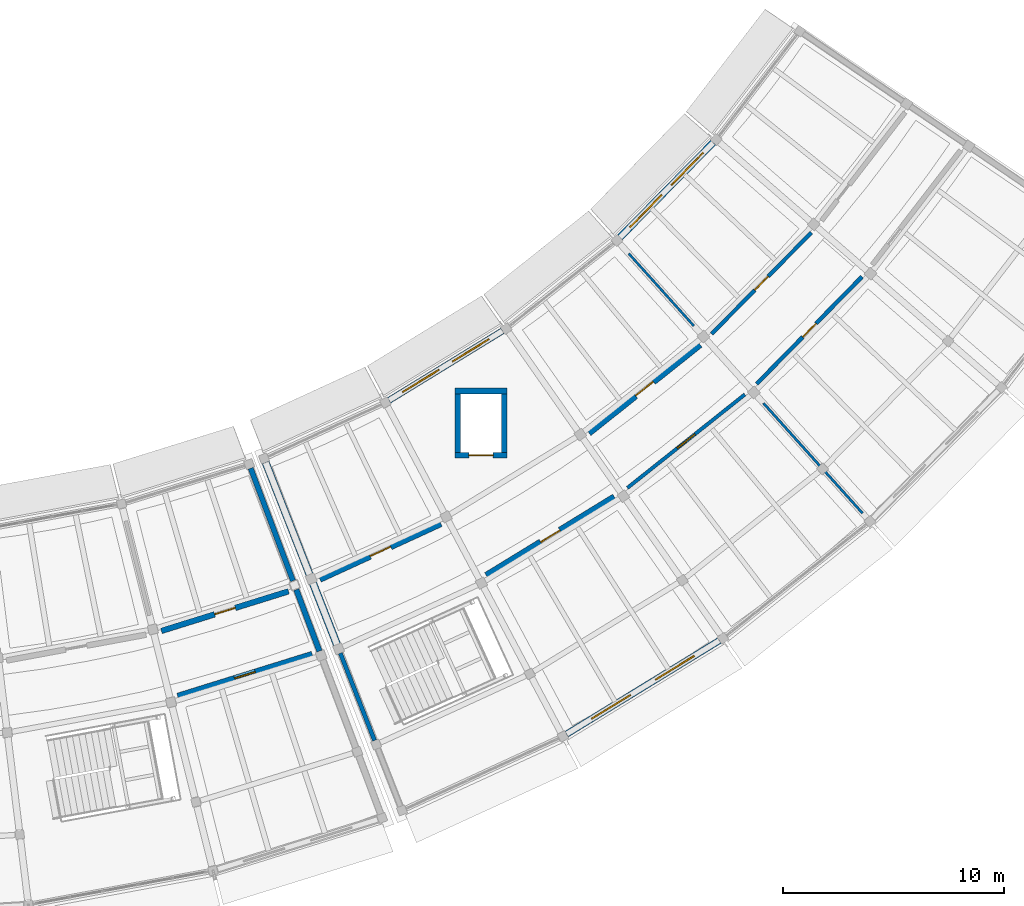
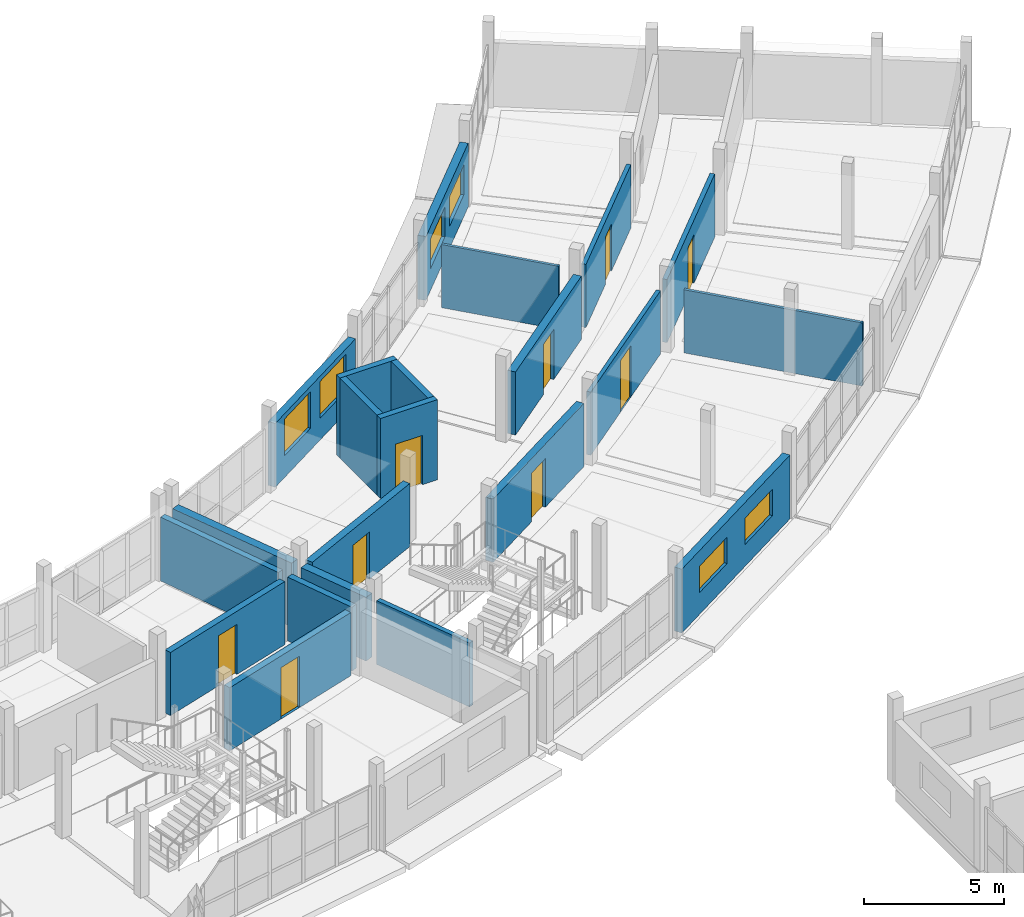
# One storey, part 59 of 77: 22 walls, 9 doors, 6 windows, 15 openings.
"""IFC4 building model written with IfcOpenShell, lengths in metres."""

from ifc_helpers import new_model, si_unit, direction, frame, frame_2d, origin, place, context, subcontext, project, spatial, rectangle, extrude, material, layer, layer_set, type_object, element, fill, save


model = new_model("IFC4")

# Units and contexts
model_context = context("Model", 3, precision=1e-05, world=origin(), true_north=direction((0.0, 1.0)))
body_context = subcontext(model_context, "Body", "Model", "MODEL_VIEW")
ifc_project = project(units=[si_unit("LENGTHUNIT", "METRE"), si_unit("AREAUNIT", "SQUARE_METRE"), si_unit("VOLUMEUNIT", "CUBIC_METRE"), si_unit("PLANEANGLEUNIT", "RADIAN"), si_unit("MASSUNIT", "GRAM", prefix="KILO")], contexts=[model_context])

# Site, building, storey
site_placement = place(None, origin())
site = spatial("IfcSite", under=ifc_project, at=site_placement, CompositionType="ELEMENT")
building_placement = place(site_placement, origin())
building = spatial("IfcBuilding", under=site, at=building_placement, Name="Caldaven Crescent School", CompositionType="ELEMENT")
storey_placement = place(building_placement, frame((0.0, 0.0, 4.419921875)))
storey = spatial("IfcBuildingStorey", under=building, at=storey_placement, Name="L01", CompositionType="ELEMENT", Elevation=4.419921875)

# Wall
ifc_material_1 = material(Name="Concrete C35/45", Category="concrete")
ifc_layer_1 = layer(ifc_material_1, 0.300048828125)
ifc_layer_set_1 = layer_set([ifc_layer_1], Name="Concrete C35/45")
wall_type_1 = type_object("IfcWallType", Name="WAL-CW1", PredefinedType="SHEAR", material=ifc_layer_set_1)
wall_1_placement = place(storey_placement, frame((115.771484375, 50.213623046875, 0.0), z_axis=(0.0, 0.0, 1.0), x_axis=(1.0, 0.0, 0.0)))
element("IfcWall", 1, at=wall_1_placement, inside=storey, type_object=wall_type_1, Name="CW-LF6-L01-N", PredefinedType="SHEAR", context=body_context, shape_type="SweptSolid", body=[
    extrude(rectangle(XDim=2.349853515625, YDim=0.25, at=frame_2d((1.1748046875, 0.0))), origin(), (0.0, 0.0, 1.0), 3.489990234375),
])

# Wall, opening, door
wall_2_placement = place(storey_placement, frame((115.771484375, 47.313720703125, 0.0), z_axis=(0.0, 0.0, 1.0), x_axis=(1.0, 0.0, 0.0)))
wall_2 = element("IfcWall", 2, at=wall_2_placement, inside=storey, type_object=wall_type_1, Name="CW-LF6-L01-S", PredefinedType="SHEAR", context=body_context, shape_type="SweptSolid", body=[
    extrude(rectangle(XDim=2.349853515625, YDim=0.25, at=frame_2d((1.1748046875, 0.0))), origin(), (0.0, 0.0, 1.0), 3.489990234375),
])
opening_1_placement = place(wall_2_placement, frame((0.625, 0.0, 0.0)))
opening_1 = element("IfcOpeningElement", 3, at=opening_1_placement, cuts=wall_2, Name="Opening LD-LF6-L01", PredefinedType="OPENING", context=body_context, shape_type="SweptSolid", body=[
    extrude(rectangle(XDim=1.10009765625, YDim=2.14990234375, at=frame_2d((0.550048828125, 1.074951171875))), frame((0.0, 0.135009765625, 0.0), z_axis=(0.0, -1.0, 0.0), x_axis=(1.0, 0.0, 0.0)), (0.0, 0.0, 1.0), 0.27001953125),
])
ifc_material_2 = material(Name="Brushed stainless-steel automatic telescopic landing door", Category="steel")
door_type_1 = type_object("IfcDoorType", Name="DOR-LD01", OperationType="DOUBLE_DOOR_SLIDING", PredefinedType="DOOR", material=ifc_material_2)
door_1_placement = place(opening_1_placement, origin())
door_1 = element("IfcDoor", 4, at=door_1_placement, inside=storey, type_object=door_type_1, Name="DOR-LD-LF6-L01", OperationType="DOUBLE_DOOR_SLIDING", OverallHeight=2.14990234375, OverallWidth=1.10009765625, PredefinedType="DOOR", context=body_context, shape_type="SweptSolid", body=[
    extrude(rectangle(XDim=1.10009765625, YDim=2.14990234375, at=frame_2d((0.550048828125, 1.074951171875))), frame((0.0, 0.02490234375, 0.0), z_axis=(0.0, -1.0, 0.0), x_axis=(1.0, 0.0, 0.0)), (0.0, 0.0, 1.0), 0.050048828125),
])
fill(opening_1, door_1)

# Walls
ifc_layer_2 = layer(ifc_material_1, 0.25)
ifc_layer_set_2 = layer_set([ifc_layer_2], Name="Concrete C35/45")
wall_type_2 = type_object("IfcWallType", Name="WAL-CW2", PredefinedType="SHEAR", material=ifc_layer_set_2)
for number, where, z_axis, x_axis, name in (
    (5, (115.896484375, 47.438720703125, 0.0), (0.0, 0.0, 1.0), (0.0, 1.0, 0.0), "CW-LF6-L01-W"),
    (6, (117.996337890625, 47.438720703125, 0.0), (0.0, 0.0, 1.0), (0.0, 1.0, 0.0), "CW-LF6-L01-E"),
):
    element("IfcWall", number, at=place(storey_placement, frame(where, z_axis=z_axis, x_axis=x_axis)), inside=storey, type_object=wall_type_2, Name=name, PredefinedType="SHEAR", context=body_context, shape_type="SweptSolid", body=[
        extrude(rectangle(XDim=2.64990234375, YDim=0.25, at=frame_2d((1.324951171875, 0.0))), origin(), (0.0, 0.0, 1.0), 3.489990234375),
    ])
ifc_material_3 = material(Name="Precast concrete C35/45", Category="concrete")
ifc_layer_3 = layer(ifc_material_3, 0.19189453125)
ifc_layer_set_3 = layer_set([ifc_layer_3], Name="Precast concrete C35/45")
wall_type_3 = type_object("IfcWallType", Name="WAL-EW01", PredefinedType="STANDARD", material=ifc_layer_set_3)
wall_3_placement = place(storey_placement, frame((110.5849609375, 38.353271484375, 0.0), z_axis=(0.0, 0.0, 1.0), x_axis=(0.364807578084, -0.93108293453, 0.0)))
element("IfcWall", 7, at=wall_3_placement, inside=storey, type_object=wall_type_3, Name="EW-L01-154", PredefinedType="STANDARD", context=body_context, shape_type="SweptSolid", body=[
    extrude(rectangle(XDim=4.239013671875, YDim=0.19189453125, at=frame_2d((2.11962890625, 0.0))), origin(), (0.0, 0.0, 1.0), 2.780029296875),
])
ifc_layer_4 = layer(ifc_material_3, 0.239990234375)
ifc_layer_set_4 = layer_set([ifc_layer_4], Name="Precast concrete C35/45")
wall_type_4 = type_object("IfcWallType", Name="WAL-EW05", PredefinedType="STANDARD", material=ifc_layer_set_4)
wall_4_placement = place(storey_placement, frame((106.528564453125, 46.72021484375, 0.0), z_axis=(0.0, 0.0, 1.0), x_axis=(0.351915297574, -0.936031849529, 0.0)))
element("IfcWall", 8, at=wall_4_placement, inside=storey, type_object=wall_type_4, Name="EW-L01-144", PredefinedType="STANDARD", context=body_context, shape_type="SweptSolid", body=[
    extrude(rectangle(XDim=5.43896484375, YDim=0.239990234375, at=frame_2d((2.719482421875, 0.0))), origin(), (0.0, 0.0, 1.0), 2.780029296875),
])
ifc_layer_5 = layer(ifc_material_3, 0.251953125)
ifc_layer_set_5 = layer_set([ifc_layer_5], Name="Precast concrete C35/45")
wall_type_5 = type_object("IfcWallType", Name="WAL-EW06", PredefinedType="STANDARD", material=ifc_layer_set_5)
wall_5_placement = place(storey_placement, frame((108.592529296875, 41.230224609375, 0.0), z_axis=(0.0, 0.0, 1.0), x_axis=(0.35193299539, -0.936025195577, 0.0)))
element("IfcWall", 9, at=wall_5_placement, inside=storey, type_object=wall_type_5, Name="EW-L01-145", PredefinedType="STANDARD", context=body_context, shape_type="SweptSolid", body=[
    extrude(rectangle(XDim=2.973876953125, YDim=0.251953125, at=frame_2d((1.48681640625, 0.0))), origin(), (0.0, 0.0, 1.0), 2.780029296875),
])

# Wall, openings, windows
ifc_layer_6 = layer(ifc_material_3, 0.2880859375)
ifc_layer_set_6 = layer_set([ifc_layer_6], Name="Precast concrete C35/45")
wall_type_6 = type_object("IfcWallType", Name="WAL-EW09", PredefinedType="STANDARD", material=ifc_layer_set_6)
wall_6_placement = place(storey_placement, frame((112.792724609375, 49.79296875, 0.0), z_axis=(0.0, 0.0, 1.0), x_axis=(0.85263629261, 0.522504882775, 0.0)))
wall_6 = element("IfcWall", 10, at=wall_6_placement, inside=storey, type_object=wall_type_6, Name="EW-L01-148", PredefinedType="STANDARD", context=body_context, shape_type="SweptSolid", body=[
    extrude(rectangle(XDim=6.0078125, YDim=0.2880859375, at=frame_2d((3.00390625, 0.0))), origin(), (0.0, 0.0, 1.0), 2.780029296875),
])
opening_2_placement = place(wall_6_placement, frame((0.709228515625, 0.0, 0.949951171875)))
opening_2 = element("IfcOpeningElement", 11, at=opening_2_placement, cuts=wall_6, Name="Opening W32", PredefinedType="OPENING", context=body_context, shape_type="SweptSolid", body=[
    extrude(rectangle(XDim=1.93994140625, YDim=1.60009765625, at=frame_2d((0.969970703125, 0.800048828125))), frame((0.0, 0.154052734375, 0.0), z_axis=(0.0, -1.0, 0.0), x_axis=(1.0, 0.0, 0.0)), (0.0, 0.0, 1.0), 0.30810546875),
])
opening_3_placement = place(wall_6_placement, frame((3.358642578125, 0.0, 0.949951171875)))
opening_3 = element("IfcOpeningElement", 12, at=opening_3_placement, cuts=wall_6, Name="Opening W32", PredefinedType="OPENING", context=body_context, shape_type="SweptSolid", body=[
    extrude(rectangle(XDim=1.93994140625, YDim=1.60009765625, at=frame_2d((0.969970703125, 0.800048828125))), frame((0.0, 0.154052734375, 0.0), z_axis=(0.0, -1.0, 0.0), x_axis=(1.0, 0.0, 0.0)), (0.0, 0.0, 1.0), 0.30810546875),
])
ifc_material_4 = material(Name="Thermally broken anodised aluminium AA 6063-T6 and low-E double glazing", Category="aluminium")
window_type_1 = type_object("IfcWindowType", Name="WIN-W32", PartitioningType="SINGLE_PANEL", PredefinedType="WINDOW", material=ifc_material_4)
window_1_placement = place(opening_2_placement, origin())
window_1 = element("IfcWindow", 13, at=window_1_placement, inside=storey, type_object=window_type_1, Name="WIN-L01-079-1", OverallHeight=1.60009765625, OverallWidth=1.93994140625, PartitioningType="SINGLE_PANEL", PredefinedType="WINDOW", context=body_context, shape_type="SweptSolid", body=[
    extrude(rectangle(XDim=1.93994140625, YDim=1.60009765625, at=frame_2d((0.969970703125, 0.800048828125))), frame((0.0, 0.030029296875, 0.0), z_axis=(0.0, -1.0, 0.0), x_axis=(1.0, 0.0, 0.0)), (0.0, 0.0, 1.0), 0.06005859375),
])
fill(opening_2, window_1)
window_2_placement = place(opening_3_placement, origin())
window_2 = element("IfcWindow", 14, at=window_2_placement, inside=storey, type_object=window_type_1, Name="WIN-L01-079-2", OverallHeight=1.60009765625, OverallWidth=1.93994140625, PartitioningType="SINGLE_PANEL", PredefinedType="WINDOW", context=body_context, shape_type="SweptSolid", body=[
    extrude(rectangle(XDim=1.93994140625, YDim=1.60009765625, at=frame_2d((0.969970703125, 0.800048828125))), frame((0.0, 0.030029296875, 0.0), z_axis=(0.0, -1.0, 0.0), x_axis=(1.0, 0.0, 0.0)), (0.0, 0.0, 1.0), 0.06005859375),
])
fill(opening_3, window_2)

ifc_layer_7 = layer(ifc_material_3, 0.300048828125)
ifc_layer_set_7 = layer_set([ifc_layer_7], Name="Precast concrete C35/45")
wall_type_7 = type_object("IfcWallType", Name="WAL-EW10", PredefinedType="STANDARD", material=ifc_layer_set_7)
wall_7_placement = place(storey_placement, frame((120.820556640625, 34.6943359375, 0.0), z_axis=(0.0, 0.0, 1.0), x_axis=(0.852631156109, 0.522513264551, 0.0)))
wall_7 = element("IfcWall", 15, at=wall_7_placement, inside=storey, type_object=wall_type_7, Name="EW-L01-149", PredefinedType="STANDARD", context=body_context, shape_type="SweptSolid", body=[
    extrude(rectangle(XDim=8.095947265625, YDim=0.300048828125, at=frame_2d((4.0478515625, 0.0))), origin(), (0.0, 0.0, 1.0), 2.780029296875),
])
opening_4_placement = place(wall_7_placement, frame((1.3251953125, 0.0, 0.949951171875)))
opening_4 = element("IfcOpeningElement", 16, at=opening_4_placement, cuts=wall_7, Name="Opening W33", PredefinedType="OPENING", context=body_context, shape_type="SweptSolid", body=[
    extrude(rectangle(XDim=2.06005859375, YDim=1.14990234375, at=frame_2d((1.030029296875, 0.574951171875))), frame((0.0, 0.159912109375, 0.0), z_axis=(0.0, -1.0, 0.0), x_axis=(1.0, 0.0, 0.0)), (0.0, 0.0, 1.0), 0.320068359375),
])
opening_5_placement = place(wall_7_placement, frame((4.710693359375, 0.0, 0.949951171875)))
opening_5 = element("IfcOpeningElement", 17, at=opening_5_placement, cuts=wall_7, Name="Opening W33", PredefinedType="OPENING", context=body_context, shape_type="SweptSolid", body=[
    extrude(rectangle(XDim=2.06005859375, YDim=1.14990234375, at=frame_2d((1.030029296875, 0.574951171875))), frame((0.0, 0.159912109375, 0.0), z_axis=(0.0, -1.0, 0.0), x_axis=(1.0, 0.0, 0.0)), (0.0, 0.0, 1.0), 0.320068359375),
])
window_type_2 = type_object("IfcWindowType", Name="WIN-W33", PartitioningType="SINGLE_PANEL", PredefinedType="WINDOW", material=ifc_material_4)
window_3_placement = place(opening_4_placement, origin())
window_3 = element("IfcWindow", 18, at=window_3_placement, inside=storey, type_object=window_type_2, Name="WIN-L01-080-1", OverallHeight=1.14990234375, OverallWidth=2.06005859375, PartitioningType="SINGLE_PANEL", PredefinedType="WINDOW", context=body_context, shape_type="SweptSolid", body=[
    extrude(rectangle(XDim=2.06005859375, YDim=1.14990234375, at=frame_2d((1.030029296875, 0.574951171875))), frame((0.0, 0.030029296875, 0.0), z_axis=(0.0, -1.0, 0.0), x_axis=(1.0, 0.0, 0.0)), (0.0, 0.0, 1.0), 0.06005859375),
])
fill(opening_4, window_3)
window_4_placement = place(opening_5_placement, origin())
window_4 = element("IfcWindow", 19, at=window_4_placement, inside=storey, type_object=window_type_2, Name="WIN-L01-080-2", OverallHeight=1.14990234375, OverallWidth=2.06005859375, PartitioningType="SINGLE_PANEL", PredefinedType="WINDOW", context=body_context, shape_type="SweptSolid", body=[
    extrude(rectangle(XDim=2.06005859375, YDim=1.14990234375, at=frame_2d((1.030029296875, 0.574951171875))), frame((0.0, 0.030029296875, 0.0), z_axis=(0.0, -1.0, 0.0), x_axis=(1.0, 0.0, 0.0)), (0.0, 0.0, 1.0), 0.06005859375),
])
fill(opening_5, window_4)

ifc_layer_8 = layer(ifc_material_3, 0.31201171875)
ifc_layer_set_8 = layer_set([ifc_layer_8], Name="Precast concrete C35/45")
wall_type_8 = type_object("IfcWallType", Name="WAL-EW11", PredefinedType="STANDARD", material=ifc_layer_set_8)
wall_8_placement = place(storey_placement, frame((123.234619140625, 57.163330078125, 0.0), z_axis=(0.0, 0.0, 1.0), x_axis=(0.700923686005, 0.713236276698, 0.0)))
wall_8 = element("IfcWall", 20, at=wall_8_placement, inside=storey, type_object=wall_type_8, Name="EW-L01-150", PredefinedType="STANDARD", context=body_context, shape_type="SweptSolid", body=[
    extrude(rectangle(XDim=6.008056640625, YDim=0.31201171875, at=frame_2d((3.00390625, 0.0))), origin(), (0.0, 0.0, 1.0), 2.780029296875),
])
opening_6_placement = place(wall_8_placement, frame((0.62939453125, 0.0, 0.949951171875)))
opening_6 = element("IfcOpeningElement", 21, at=opening_6_placement, cuts=wall_8, Name="Opening W34", PredefinedType="OPENING", context=body_context, shape_type="SweptSolid", body=[
    extrude(rectangle(XDim=2.06005859375, YDim=1.300048828125, at=frame_2d((1.030029296875, 0.64990234375))), frame((0.0, 0.166015625, 0.0), z_axis=(0.0, -1.0, 0.0), x_axis=(1.0, 0.0, 0.0)), (0.0, 0.0, 1.0), 0.33203125),
])
opening_7_placement = place(wall_8_placement, frame((3.318603515625, 0.0, 0.949951171875)))
opening_7 = element("IfcOpeningElement", 22, at=opening_7_placement, cuts=wall_8, Name="Opening W34", PredefinedType="OPENING", context=body_context, shape_type="SweptSolid", body=[
    extrude(rectangle(XDim=2.06005859375, YDim=1.300048828125, at=frame_2d((1.030029296875, 0.64990234375))), frame((0.0, 0.166015625, 0.0), z_axis=(0.0, -1.0, 0.0), x_axis=(1.0, 0.0, 0.0)), (0.0, 0.0, 1.0), 0.33203125),
])
window_type_3 = type_object("IfcWindowType", Name="WIN-W34", PartitioningType="SINGLE_PANEL", PredefinedType="WINDOW", material=ifc_material_4)
window_5_placement = place(opening_6_placement, origin())
window_5 = element("IfcWindow", 23, at=window_5_placement, inside=storey, type_object=window_type_3, Name="WIN-L01-081-1", OverallHeight=1.300048828125, OverallWidth=2.06005859375, PartitioningType="SINGLE_PANEL", PredefinedType="WINDOW", context=body_context, shape_type="SweptSolid", body=[
    extrude(rectangle(XDim=2.06005859375, YDim=1.300048828125, at=frame_2d((1.030029296875, 0.64990234375))), frame((0.0, 0.030029296875, 0.0), z_axis=(0.0, -1.0, 0.0), x_axis=(1.0, 0.0, 0.0)), (0.0, 0.0, 1.0), 0.06005859375),
])
fill(opening_6, window_5)
window_6_placement = place(opening_7_placement, origin())
window_6 = element("IfcWindow", 24, at=window_6_placement, inside=storey, type_object=window_type_3, Name="WIN-L01-081-2", OverallHeight=1.300048828125, OverallWidth=2.06005859375, PartitioningType="SINGLE_PANEL", PredefinedType="WINDOW", context=body_context, shape_type="SweptSolid", body=[
    extrude(rectangle(XDim=2.06005859375, YDim=1.300048828125, at=frame_2d((1.030029296875, 0.64990234375))), frame((0.0, 0.030029296875, 0.0), z_axis=(0.0, -1.0, 0.0), x_axis=(1.0, 0.0, 0.0)), (0.0, 0.0, 1.0), 0.06005859375),
])
fill(opening_7, window_6)

# Walls
ifc_layer_9 = layer(ifc_material_3, 0.3359375)
ifc_layer_set_9 = layer_set([ifc_layer_9], Name="Precast concrete C35/45")
wall_type_9 = type_object("IfcWallType", Name="WAL-EW13", PredefinedType="STANDARD", material=ifc_layer_set_9)
wall_9_placement = place(storey_placement, frame((107.205322265625, 46.97998046875, 0.0), z_axis=(0.0, 0.0, 1.0), x_axis=(0.364795350011, -0.931087725518, 0.0)))
element("IfcWall", 25, at=wall_9_placement, inside=storey, type_object=wall_type_9, Name="EW-L01-152", PredefinedType="STANDARD", context=body_context, shape_type="SweptSolid", body=[
    extrude(rectangle(XDim=5.43896484375, YDim=0.3359375, at=frame_2d((2.719482421875, 0.0))), origin(), (0.0, 0.0, 1.0), 2.780029296875),
])
ifc_layer_10 = layer(ifc_material_3, 0.347900390625)
ifc_layer_set_10 = layer_set([ifc_layer_10], Name="Precast concrete C35/45")
wall_type_10 = type_object("IfcWallType", Name="WAL-EW14", PredefinedType="STANDARD", material=ifc_layer_set_10)
wall_10_placement = place(storey_placement, frame((109.3447265625, 41.51904296875, 0.0), z_axis=(0.0, 0.0, 1.0), x_axis=(0.364814075751, -0.931080388653, 0.0)))
element("IfcWall", 26, at=wall_10_placement, inside=storey, type_object=wall_type_10, Name="EW-L01-153", PredefinedType="STANDARD", context=body_context, shape_type="SweptSolid", body=[
    extrude(rectangle(XDim=2.97412109375, YDim=0.347900390625, at=frame_2d((1.487060546875, 0.0))), origin(), (0.0, 0.0, 1.0), 2.780029296875),
])

# Wall, opening, door
ifc_material_5 = material(Name="Acoustic timber-stud and fire-rated gypsum board assembly", Category="wood")
ifc_layer_11 = layer(ifc_material_5, 0.159912109375)
ifc_layer_set_11 = layer_set([ifc_layer_11], Name="Acoustic timber-stud and fire-rated gypsum board assembly")
wall_type_11 = type_object("IfcWallType", Name="WAL-IW01", PredefinedType="STANDARD", material=ifc_layer_set_11)
wall_11_placement = place(storey_placement, frame((123.568115234375, 45.829833984375, 0.0), z_axis=(0.0, 0.0, 1.0), x_axis=(0.782615780998, 0.622505051653, 0.0)))
wall_11 = element("IfcWall", 27, at=wall_11_placement, inside=storey, type_object=wall_type_11, Name="IW-L01-0224", PredefinedType="STANDARD", context=body_context, shape_type="SweptSolid", body=[
    extrude(rectangle(XDim=6.79150390625, YDim=0.159912109375, at=frame_2d((3.395751953125, 0.0))), origin(), (0.0, 0.0, 1.0), 2.75),
])
opening_8_placement = place(wall_11_placement, frame((2.8857421875, 0.0, 0.0)))
opening_8 = element("IfcOpeningElement", 28, at=opening_8_placement, cuts=wall_11, Name="Opening D-L01-I159", PredefinedType="OPENING", context=body_context, shape_type="SweptSolid", body=[
    extrude(rectangle(XDim=1.02001953125, YDim=2.239990234375, at=frame_2d((0.510009765625, 1.1201171875))), frame((0.0, 0.08984375, 0.0), z_axis=(0.0, -1.0, 0.0), x_axis=(1.0, 0.0, 0.0)), (0.0, 0.0, 1.0), 0.179931640625),
])
ifc_material_6 = material(Name="Solid-core Pino Radiata acoustic timber leaf in steel frame", Category="steel")
door_type_2 = type_object("IfcDoorType", Name="DOR-ID20", OperationType="NOTDEFINED", PredefinedType="DOOR", material=ifc_material_6)
door_2_placement = place(opening_8_placement, origin())
door_2 = element("IfcDoor", 29, at=door_2_placement, inside=storey, type_object=door_type_2, Name="DOR-INT-L01-0159", OperationType="SINGLE_SWING_RIGHT", OverallHeight=2.239990234375, OverallWidth=1.02001953125, PredefinedType="DOOR", context=body_context, shape_type="SweptSolid", body=[
    extrude(rectangle(XDim=1.02001953125, YDim=2.239990234375, at=frame_2d((0.510009765625, 1.1201171875))), frame((0.0, 0.02490234375, 0.0), z_axis=(0.0, -1.0, 0.0), x_axis=(1.0, 0.0, 0.0)), (0.0, 0.0, 1.0), 0.050048828125),
])
fill(opening_8, door_2)

ifc_layer_12 = layer(ifc_material_5, 0.169921875)
ifc_layer_set_12 = layer_set([ifc_layer_12], Name="Acoustic timber-stud and fire-rated gypsum board assembly")
wall_type_12 = type_object("IfcWallType", Name="WAL-IW02", PredefinedType="STANDARD", material=ifc_layer_set_12)
wall_12_placement = place(storey_placement, frame((127.383056640625, 52.797607421875, 0.0), z_axis=(0.0, 0.0, 1.0), x_axis=(0.700900509406, 0.713259052459, 0.0)))
wall_12 = element("IfcWall", 30, at=wall_12_placement, inside=storey, type_object=wall_type_12, Name="IW-L01-0225", PredefinedType="STANDARD", context=body_context, shape_type="SweptSolid", body=[
    extrude(rectangle(XDim=6.42041015625, YDim=0.169921875, at=frame_2d((3.210205078125, 0.0))), origin(), (0.0, 0.0, 1.0), 2.75),
])
opening_9_placement = place(wall_12_placement, frame((2.780029296875, 0.0, 0.0)))
opening_9 = element("IfcOpeningElement", 31, at=opening_9_placement, cuts=wall_12, Name="Opening D-L01-I160", PredefinedType="OPENING", context=body_context, shape_type="SweptSolid", body=[
    extrude(rectangle(XDim=0.860107421875, YDim=2.06005859375, at=frame_2d((0.43017578125, 1.030029296875))), frame((0.0, 0.094970703125, 0.0), z_axis=(0.0, -1.0, 0.0), x_axis=(1.0, 0.0, 0.0)), (0.0, 0.0, 1.0), 0.18994140625),
])
door_type_3 = type_object("IfcDoorType", Name="DOR-ID01", OperationType="NOTDEFINED", PredefinedType="DOOR", material=ifc_material_6)
door_3_placement = place(opening_9_placement, frame((0.860107421875, 0.0, 0.0), z_axis=(0.0, 0.0, 1.0), x_axis=(-1.0, 0.0, 0.0)))
door_3 = element("IfcDoor", 32, at=door_3_placement, inside=storey, type_object=door_type_3, Name="DOR-INT-L01-0160", OperationType="SINGLE_SWING_LEFT", OverallHeight=2.06005859375, OverallWidth=0.860107421875, PredefinedType="DOOR", context=body_context, shape_type="SweptSolid", body=[
    extrude(rectangle(XDim=0.860107421875, YDim=2.06005859375, at=frame_2d((0.43017578125, 1.030029296875))), frame((0.0, 0.02490234375, 0.0), z_axis=(0.0, -1.0, 0.0), x_axis=(1.0, 0.0, 0.0)), (0.0, 0.0, 1.0), 0.050048828125),
])
fill(opening_9, door_3)

ifc_layer_13 = layer(ifc_material_5, 0.179931640625)
ifc_layer_set_13 = layer_set([ifc_layer_13], Name="Acoustic timber-stud and fire-rated gypsum board assembly")
wall_type_13 = type_object("IfcWallType", Name="WAL-IW03", PredefinedType="STANDARD", material=ifc_layer_set_13)
wall_13_placement = place(storey_placement, frame((129.417236328125, 50.53857421875, 0.0), z_axis=(0.0, 0.0, 1.0), x_axis=(0.700914816473, 0.713244993006, 0.0)))
wall_13 = element("IfcWall", 33, at=wall_13_placement, inside=storey, type_object=wall_type_13, Name="IW-L01-0226", PredefinedType="STANDARD", context=body_context, shape_type="SweptSolid", body=[
    extrude(rectangle(XDim=6.79150390625, YDim=0.179931640625, at=frame_2d((3.395751953125, 0.0))), origin(), (0.0, 0.0, 1.0), 2.75),
])
opening_10_placement = place(wall_13_placement, frame((2.9658203125, 0.0, 0.0)))
opening_10 = element("IfcOpeningElement", 34, at=opening_10_placement, cuts=wall_13, Name="Opening D-L01-I161", PredefinedType="OPENING", context=body_context, shape_type="SweptSolid", body=[
    extrude(rectangle(XDim=0.860107421875, YDim=2.1201171875, at=frame_2d((0.43017578125, 1.06005859375))), frame((0.0, 0.099853515625, 0.0), z_axis=(0.0, -1.0, 0.0), x_axis=(1.0, 0.0, 0.0)), (0.0, 0.0, 1.0), 0.199951171875),
])
door_type_4 = type_object("IfcDoorType", Name="DOR-ID02", OperationType="NOTDEFINED", PredefinedType="DOOR", material=ifc_material_6)
door_4_placement = place(opening_10_placement, origin())
door_4 = element("IfcDoor", 35, at=door_4_placement, inside=storey, type_object=door_type_4, Name="DOR-INT-L01-0161", OperationType="SINGLE_SWING_RIGHT", OverallHeight=2.1201171875, OverallWidth=0.860107421875, PredefinedType="DOOR", context=body_context, shape_type="SweptSolid", body=[
    extrude(rectangle(XDim=0.860107421875, YDim=2.1201171875, at=frame_2d((0.43017578125, 1.06005859375))), frame((0.0, 0.02490234375, 0.0), z_axis=(0.0, -1.0, 0.0), x_axis=(1.0, 0.0, 0.0)), (0.0, 0.0, 1.0), 0.050048828125),
])
fill(opening_10, door_4)

ifc_layer_14 = layer(ifc_material_5, 0.260009765625)
ifc_layer_set_14 = layer_set([ifc_layer_14], Name="Acoustic timber-stud and fire-rated gypsum board assembly")
wall_type_14 = type_object("IfcWallType", Name="WAL-IW11", PredefinedType="STANDARD", material=ifc_layer_set_14)
wall_14_placement = place(storey_placement, frame((102.4912109375, 39.3642578125, 0.0), z_axis=(0.0, 0.0, 1.0), x_axis=(0.954756741519, 0.297387902451, 0.0)))
wall_14 = element("IfcWall", 36, at=wall_14_placement, inside=storey, type_object=wall_type_14, Name="IW-L01-0218", PredefinedType="STANDARD", context=body_context, shape_type="SweptSolid", body=[
    extrude(rectangle(XDim=6.018310546875, YDim=0.260009765625, at=frame_2d((3.00927734375, 0.0))), origin(), (0.0, 0.0, 1.0), 2.75),
])
opening_11_placement = place(wall_14_placement, frame((2.51904296875, 0.0, 0.0)))
opening_11 = element("IfcOpeningElement", 37, at=opening_11_placement, cuts=wall_14, Name="Opening D-L01-I154", PredefinedType="OPENING", context=body_context, shape_type="SweptSolid", body=[
    extrude(rectangle(XDim=0.97998046875, YDim=2.179931640625, at=frame_2d((0.489990234375, 1.08984375))), frame((0.0, 0.139892578125, 0.0), z_axis=(0.0, -1.0, 0.0), x_axis=(1.0, 0.0, 0.0)), (0.0, 0.0, 1.0), 0.280029296875),
])
door_type_5 = type_object("IfcDoorType", Name="DOR-ID15", OperationType="NOTDEFINED", PredefinedType="DOOR", material=ifc_material_6)
door_5_placement = place(opening_11_placement, frame((0.97998046875, 0.0, 0.0), z_axis=(0.0, 0.0, 1.0), x_axis=(-1.0, 0.0, 0.0)))
door_5 = element("IfcDoor", 38, at=door_5_placement, inside=storey, type_object=door_type_5, Name="DOR-INT-L01-0154", OperationType="SINGLE_SWING_LEFT", OverallHeight=2.179931640625, OverallWidth=0.97998046875, PredefinedType="DOOR", context=body_context, shape_type="SweptSolid", body=[
    extrude(rectangle(XDim=0.97998046875, YDim=2.179931640625, at=frame_2d((0.489990234375, 1.08984375))), frame((0.0, 0.02490234375, 0.0), z_axis=(0.0, -1.0, 0.0), x_axis=(1.0, 0.0, 0.0)), (0.0, 0.0, 1.0), 0.050048828125),
])
fill(opening_11, door_5)

ifc_material_7 = material(Name="Autoclaved aerated concrete block masonry G5", Category="masonry")
ifc_layer_15 = layer(ifc_material_7, 0.27001953125)
ifc_layer_set_15 = layer_set([ifc_layer_15], Name="Autoclaved aerated concrete block masonry G5")
wall_type_15 = type_object("IfcWallType", Name="WAL-IW12", PredefinedType="STANDARD", material=ifc_layer_set_15)
wall_15_placement = place(storey_placement, frame((103.226806640625, 36.41455078125, 0.0), z_axis=(0.0, 0.0, 1.0), x_axis=(0.954750390155, 0.297408292585, 0.0)))
wall_15 = element("IfcWall", 39, at=wall_15_placement, inside=storey, type_object=wall_type_15, Name="IW-L01-0219", PredefinedType="STANDARD", context=body_context, shape_type="SweptSolid", body=[
    extrude(rectangle(XDim=6.368408203125, YDim=0.27001953125, at=frame_2d((3.18408203125, 0.0))), origin(), (0.0, 0.0, 1.0), 2.75),
])
opening_12_placement = place(wall_15_placement, frame((2.6943359375, 0.0, 0.0)))
opening_12 = element("IfcOpeningElement", 40, at=opening_12_placement, cuts=wall_15, Name="Opening D-L01-I155", PredefinedType="OPENING", context=body_context, shape_type="SweptSolid", body=[
    extrude(rectangle(XDim=0.97998046875, YDim=2.239990234375, at=frame_2d((0.489990234375, 1.1201171875))), frame((0.0, 0.14501953125, 0.0), z_axis=(0.0, -1.0, 0.0), x_axis=(1.0, 0.0, 0.0)), (0.0, 0.0, 1.0), 0.2900390625),
])
door_type_6 = type_object("IfcDoorType", Name="DOR-ID16", OperationType="NOTDEFINED", PredefinedType="DOOR", material=ifc_material_6)
door_6_placement = place(opening_12_placement, origin())
door_6 = element("IfcDoor", 41, at=door_6_placement, inside=storey, type_object=door_type_6, Name="DOR-INT-L01-0155", OperationType="SINGLE_SWING_RIGHT", OverallHeight=2.239990234375, OverallWidth=0.97998046875, PredefinedType="DOOR", context=body_context, shape_type="SweptSolid", body=[
    extrude(rectangle(XDim=0.97998046875, YDim=2.239990234375, at=frame_2d((0.489990234375, 1.1201171875))), frame((0.0, 0.02490234375, 0.0), z_axis=(0.0, -1.0, 0.0), x_axis=(1.0, 0.0, 0.0)), (0.0, 0.0, 1.0), 0.050048828125),
])
fill(opening_12, door_6)

ifc_layer_16 = layer(ifc_material_7, 0.2900390625)
ifc_layer_set_16 = layer_set([ifc_layer_16], Name="Autoclaved aerated concrete block masonry G5")
wall_type_16 = type_object("IfcWallType", Name="WAL-IW14", PredefinedType="STANDARD", material=ifc_layer_set_16)
wall_16_placement = place(storey_placement, frame((109.659912109375, 41.7001953125, 0.0), z_axis=(0.0, 0.0, 1.0), x_axis=(0.908523717144, 0.417833286595, 0.0)))
wall_16 = element("IfcWall", 42, at=wall_16_placement, inside=storey, type_object=wall_type_16, Name="IW-L01-0221", PredefinedType="STANDARD", context=body_context, shape_type="SweptSolid", body=[
    extrude(rectangle(XDim=6.018310546875, YDim=0.2900390625, at=frame_2d((3.00927734375, 0.0))), origin(), (0.0, 0.0, 1.0), 2.75),
])
opening_13_placement = place(wall_16_placement, frame((2.4990234375, 0.0, 0.0)))
opening_13 = element("IfcOpeningElement", 43, at=opening_13_placement, cuts=wall_16, Name="Opening D-L01-I156", PredefinedType="OPENING", context=body_context, shape_type="SweptSolid", body=[
    extrude(rectangle(XDim=1.02001953125, YDim=2.06005859375, at=frame_2d((0.510009765625, 1.030029296875))), frame((0.0, 0.155029296875, 0.0), z_axis=(0.0, -1.0, 0.0), x_axis=(1.0, 0.0, 0.0)), (0.0, 0.0, 1.0), 0.31005859375),
])
door_type_7 = type_object("IfcDoorType", Name="DOR-ID17", OperationType="NOTDEFINED", PredefinedType="DOOR", material=ifc_material_6)
door_7_placement = place(opening_13_placement, frame((1.02001953125, 0.0, 0.0), z_axis=(0.0, 0.0, 1.0), x_axis=(-1.0, 0.0, 0.0)))
door_7 = element("IfcDoor", 44, at=door_7_placement, inside=storey, type_object=door_type_7, Name="DOR-INT-L01-0156", OperationType="SINGLE_SWING_LEFT", OverallHeight=2.06005859375, OverallWidth=1.02001953125, PredefinedType="DOOR", context=body_context, shape_type="SweptSolid", body=[
    extrude(rectangle(XDim=1.02001953125, YDim=2.06005859375, at=frame_2d((0.510009765625, 1.030029296875))), frame((0.0, 0.02490234375, 0.0), z_axis=(0.0, -1.0, 0.0), x_axis=(1.0, 0.0, 0.0)), (0.0, 0.0, 1.0), 0.050048828125),
])
fill(opening_13, door_7)

ifc_layer_17 = layer(ifc_material_7, 0.300048828125)
ifc_layer_set_17 = layer_set([ifc_layer_17], Name="Autoclaved aerated concrete block masonry G5")
wall_type_17 = type_object("IfcWallType", Name="WAL-IW15", PredefinedType="STANDARD", material=ifc_layer_set_17)
wall_17_placement = place(storey_placement, frame((117.188720703125, 41.869140625, 0.0), z_axis=(0.0, 0.0, 1.0), x_axis=(0.852640514979, 0.522497992547, 0.0)))
wall_17 = element("IfcWall", 45, at=wall_17_placement, inside=storey, type_object=wall_type_17, Name="IW-L01-0222", PredefinedType="STANDARD", context=body_context, shape_type="SweptSolid", body=[
    extrude(rectangle(XDim=6.79150390625, YDim=0.300048828125, at=frame_2d((3.395751953125, 0.0))), origin(), (0.0, 0.0, 1.0), 2.75),
])
opening_14_placement = place(wall_17_placement, frame((2.8857421875, 0.0, 0.0)))
opening_14 = element("IfcOpeningElement", 46, at=opening_14_placement, cuts=wall_17, Name="Opening D-L01-I157", PredefinedType="OPENING", context=body_context, shape_type="SweptSolid", body=[
    extrude(rectangle(XDim=1.02001953125, YDim=2.1201171875, at=frame_2d((0.510009765625, 1.06005859375))), frame((0.0, 0.159912109375, 0.0), z_axis=(0.0, -1.0, 0.0), x_axis=(1.0, 0.0, 0.0)), (0.0, 0.0, 1.0), 0.320068359375),
])
door_type_8 = type_object("IfcDoorType", Name="DOR-ID18", OperationType="NOTDEFINED", PredefinedType="DOOR", material=ifc_material_6)
door_8_placement = place(opening_14_placement, origin())
door_8 = element("IfcDoor", 47, at=door_8_placement, inside=storey, type_object=door_type_8, Name="DOR-INT-L01-0157", OperationType="SINGLE_SWING_RIGHT", OverallHeight=2.1201171875, OverallWidth=1.02001953125, PredefinedType="DOOR", context=body_context, shape_type="SweptSolid", body=[
    extrude(rectangle(XDim=1.02001953125, YDim=2.1201171875, at=frame_2d((0.510009765625, 1.06005859375))), frame((0.0, 0.02490234375, 0.0), z_axis=(0.0, -1.0, 0.0), x_axis=(1.0, 0.0, 0.0)), (0.0, 0.0, 1.0), 0.050048828125),
])
fill(opening_14, door_8)

ifc_layer_18 = layer(ifc_material_7, 0.31005859375)
ifc_layer_set_18 = layer_set([ifc_layer_18], Name="Autoclaved aerated concrete block masonry G5")
wall_type_18 = type_object("IfcWallType", Name="WAL-IW16", PredefinedType="STANDARD", material=ifc_layer_set_18)
wall_18_placement = place(storey_placement, frame((121.824462890625, 48.320068359375, 0.0), z_axis=(0.0, 0.0, 1.0), x_axis=(0.782605685559, 0.622517743467, 0.0)))
wall_18 = element("IfcWall", 48, at=wall_18_placement, inside=storey, type_object=wall_type_18, Name="IW-L01-0223", PredefinedType="STANDARD", context=body_context, shape_type="SweptSolid", body=[
    extrude(rectangle(XDim=6.42041015625, YDim=0.31005859375, at=frame_2d((3.210205078125, 0.0))), origin(), (0.0, 0.0, 1.0), 2.75),
])
opening_15_placement = place(wall_18_placement, frame((2.7001953125, 0.0, 0.0)))
opening_15 = element("IfcOpeningElement", 49, at=opening_15_placement, cuts=wall_18, Name="Opening D-L01-I158", PredefinedType="OPENING", context=body_context, shape_type="SweptSolid", body=[
    extrude(rectangle(XDim=1.02001953125, YDim=2.179931640625, at=frame_2d((0.510009765625, 1.08984375))), frame((0.0, 0.1650390625, 0.0), z_axis=(0.0, -1.0, 0.0), x_axis=(1.0, 0.0, 0.0)), (0.0, 0.0, 1.0), 0.330078125),
])
door_type_9 = type_object("IfcDoorType", Name="DOR-ID19", OperationType="NOTDEFINED", PredefinedType="DOOR", material=ifc_material_6)
door_9_placement = place(opening_15_placement, frame((1.02001953125, 0.0, 0.0), z_axis=(0.0, 0.0, 1.0), x_axis=(-1.0, 0.0, 0.0)))
door_9 = element("IfcDoor", 50, at=door_9_placement, inside=storey, type_object=door_type_9, Name="DOR-INT-L01-0158", OperationType="SINGLE_SWING_LEFT", OverallHeight=2.179931640625, OverallWidth=1.02001953125, PredefinedType="DOOR", context=body_context, shape_type="SweptSolid", body=[
    extrude(rectangle(XDim=1.02001953125, YDim=2.179931640625, at=frame_2d((0.510009765625, 1.08984375))), frame((0.0, 0.02490234375, 0.0), z_axis=(0.0, -1.0, 0.0), x_axis=(1.0, 0.0, 0.0)), (0.0, 0.0, 1.0), 0.050048828125),
])
fill(opening_15, door_9)

# Walls
ifc_material_8 = material(Name="Acoustic double-layer gypsum partition on galvanised steel studs", Category="steel")
ifc_layer_19 = layer(ifc_material_8, 0.10400390625)
ifc_layer_set_19 = layer_set([ifc_layer_19], Name="Acoustic double-layer gypsum partition on galvanised steel studs")
wall_type_19 = type_object("IfcWallType", Name="WAL-PT04", PredefinedType="PARTITIONING", material=ifc_layer_set_19)
wall_19_placement = place(storey_placement, frame((123.631103515625, 56.427490234375, 0.0), z_axis=(0.0, 0.0, 1.0), x_axis=(0.669157836149, -0.743120306761, 0.0)))
element("IfcWall", 51, at=wall_19_placement, inside=storey, type_object=wall_type_19, Name="IW-L01-0227", PredefinedType="PARTITIONING", context=body_context, shape_type="SweptSolid", body=[
    extrude(rectangle(XDim=4.400146484375, YDim=0.10400390625, at=frame_2d((2.2001953125, 0.0))), origin(), (0.0, 0.0, 1.0), 2.75),
])
ifc_layer_20 = layer(ifc_material_8, 0.110107421875)
ifc_layer_set_20 = layer_set([ifc_layer_20], Name="Acoustic double-layer gypsum partition on galvanised steel studs")
wall_type_20 = type_object("IfcWallType", Name="WAL-PT05", PredefinedType="PARTITIONING", material=ifc_layer_set_20)
wall_20_placement = place(storey_placement, frame((129.72021484375, 49.6650390625, 0.0), z_axis=(0.0, 0.0, 1.0), x_axis=(0.669115705072, -0.743158242386, 0.0)))
element("IfcWall", 52, at=wall_20_placement, inside=storey, type_object=wall_type_20, Name="IW-L01-0228", PredefinedType="PARTITIONING", context=body_context, shape_type="SweptSolid", body=[
    extrude(rectangle(XDim=6.7001953125, YDim=0.110107421875, at=frame_2d((3.35009765625, 0.0))), origin(), (0.0, 0.0, 1.0), 2.75),
])

save(model, "model.ifc")
